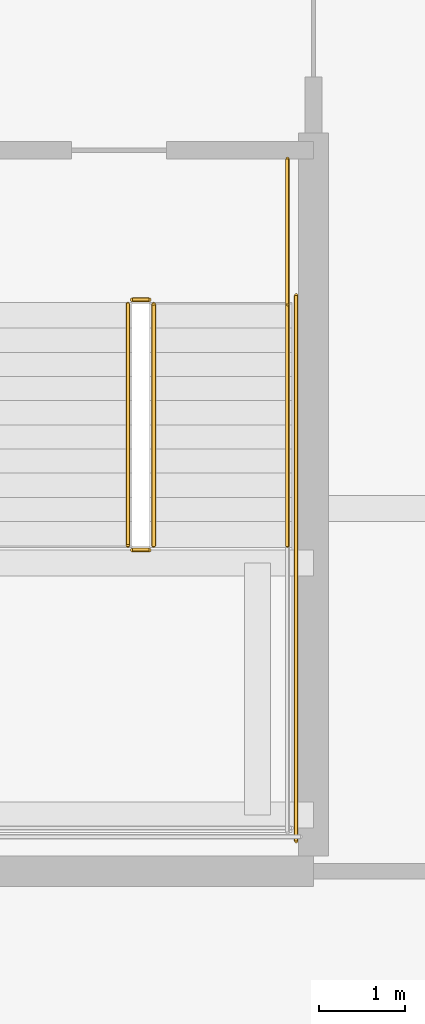
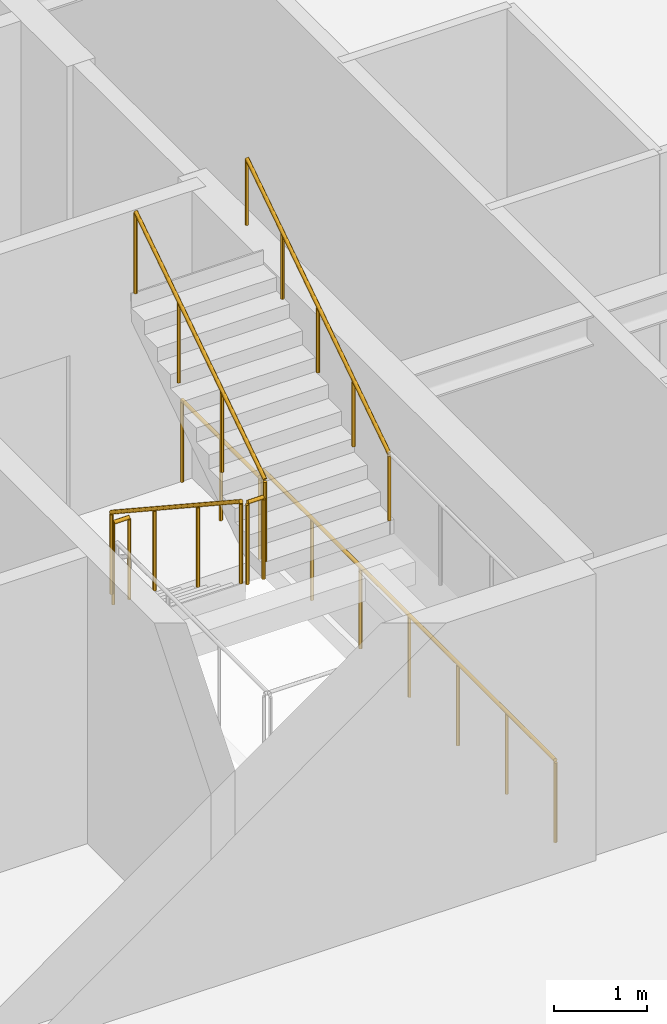
# One storey, part 36 of 37: 7 railings.
"""IFC4 building model written with IfcOpenShell, lengths in metres."""

from ifc_helpers import new_model, si_unit, direction, frame, origin, origin_2d, place, context, subcontext, project, spatial, circle, extrude, material, type_object, element, save


model = new_model("IFC4")

# Units and contexts
model_context = context("Model", 3, precision=1e-05, world=origin(), true_north=direction((0.0, 1.0)))
body_context = subcontext(model_context, "Body", "Model", "MODEL_VIEW")
ifc_project = project(units=[si_unit("LENGTHUNIT", "METRE"), si_unit("AREAUNIT", "SQUARE_METRE"), si_unit("VOLUMEUNIT", "CUBIC_METRE"), si_unit("PLANEANGLEUNIT", "RADIAN"), si_unit("MASSUNIT", "GRAM", prefix="KILO")], contexts=[model_context])

# Site, building, storey
site_placement = place(None, origin())
site = spatial("IfcSite", under=ifc_project, at=site_placement, CompositionType="ELEMENT")
building_placement = place(site_placement, origin())
building = spatial("IfcBuilding", under=site, at=building_placement, Name="Serunith Strait Residences", CompositionType="ELEMENT")
storey_placement = place(building_placement, frame((0.0, 0.0, 317.75)))
storey = spatial("IfcBuildingStorey", under=building, at=storey_placement, Name="L79", CompositionType="ELEMENT", Elevation=317.75)

# Railings
ifc_material = material(Name="Brushed stainless steel 316L", Category="steel")
railing_type_1 = type_object("IfcRailingType", Name="RLG-STAIR-GUARD", PredefinedType="BALUSTRADE", material=ifc_material)
railing_1_placement = place(storey_placement, frame((39.25, 23.3701171875, 0.18408203125)))
element("IfcRailing", 1, at=railing_1_placement, inside=storey, type_object=railing_type_1, Name="L79 ST-2 stair guard 1", PredefinedType="BALUSTRADE", context=body_context, shape_type="SweptSolid", body=[
    extrude(circle(Radius=0.02392578125, at=origin_2d()), frame((0.0, -0.001708984375, 1.0771484375), z_axis=(0.0, -0.835597507184, 0.549342157483), x_axis=(1.0, 0.0, 0.0)), (0.0, 0.0, 1.0), 3.346923828125),
    extrude(circle(Radius=0.02099609375, at=origin_2d()), origin(), (0.0, 0.0, 1.0), 1.050048828125),
    extrude(circle(Radius=0.02099609375, at=origin_2d()), frame((0.0, -0.933349609375, 0.613525390625)), (0.0, 0.0, 1.0), 1.050048828125),
    extrude(circle(Radius=0.02099609375, at=origin_2d()), frame((0.0, -1.86669921875, 1.227294921875)), (0.0, 0.0, 1.0), 1.050048828125),
    extrude(circle(Radius=0.02099609375, at=origin_2d()), frame((0.0, -2.800048828125, 1.8408203125)), (0.0, 0.0, 1.0), 1.050048828125),
])
railing_2_placement = place(storey_placement, frame((39.300048828125, 20.52001953125, 2.02490234375)))
element("IfcRailing", 2, at=railing_2_placement, inside=storey, type_object=railing_type_1, Name="L79 ST-2 stair guard 2", PredefinedType="BALUSTRADE", context=body_context, shape_type="SweptSolid", body=[
    extrude(circle(Radius=0.02392578125, at=origin_2d()), frame((0.001953125, 0.0, 1.076171875), z_axis=(1.0, 0.0, 0.0), x_axis=(0.0, 1.0, 0.0)), (0.0, 0.0, 1.0), 0.196044921875),
    extrude(circle(Radius=0.02099609375, at=origin_2d()), origin(), (0.0, 0.0, 1.0), 1.050048828125),
    extrude(circle(Radius=0.02099609375, at=origin_2d()), frame((0.199951171875, 0.0, 0.0)), (0.0, 0.0, 1.0), 1.050048828125),
])
railing_3_placement = place(storey_placement, frame((39.550048828125, 20.570068359375, 2.208984375)))
element("IfcRailing", 3, at=railing_3_placement, inside=storey, type_object=railing_type_1, Name="L79 ST-2 stair guard 6", PredefinedType="BALUSTRADE", context=body_context, shape_type="SweptSolid", body=[
    extrude(circle(Radius=0.02392578125, at=origin_2d()), frame((0.0, 0.001708984375, 1.0771484375), z_axis=(0.0, 0.83556406348, 0.549393024911), x_axis=(-1.0, 0.0, 0.0)), (0.0, 0.0, 1.0), 3.34716796875),
    extrude(circle(Radius=0.02099609375, at=origin_2d()), origin(), (0.0, 0.0, 1.0), 1.050048828125),
    extrude(circle(Radius=0.02099609375, at=origin_2d()), frame((0.0, 0.933349609375, 0.61376953125)), (0.0, 0.0, 1.0), 1.050048828125),
    extrude(circle(Radius=0.02099609375, at=origin_2d()), frame((0.0, 1.86669921875, 1.227294921875)), (0.0, 0.0, 1.0), 1.050048828125),
    extrude(circle(Radius=0.02099609375, at=origin_2d()), frame((0.0, 2.800048828125, 1.841064453125)), (0.0, 0.0, 1.0), 1.050048828125),
])
railing_4_placement = place(storey_placement, frame((39.300048828125, 23.419921875, 0.0)))
element("IfcRailing", 4, at=railing_4_placement, inside=storey, type_object=railing_type_1, Name="L79 ST-2 stair guard 7", PredefinedType="BALUSTRADE", context=body_context, shape_type="SweptSolid", body=[
    extrude(circle(Radius=0.02392578125, at=origin_2d()), frame((0.001953125, 0.0, 1.076171875), z_axis=(1.0, 0.0, 0.0), x_axis=(0.0, 1.0, 0.0)), (0.0, 0.0, 1.0), 0.196044921875),
    extrude(circle(Radius=0.02099609375, at=origin_2d()), origin(), (0.0, 0.0, 1.0), 1.050048828125),
    extrude(circle(Radius=0.02099609375, at=origin_2d()), frame((0.199951171875, 0.0, 0.0)), (0.0, 0.0, 1.0), 1.050048828125),
])
railing_5_placement = place(storey_placement, frame((41.10009765625, 25.050048828125, 0.0)))
element("IfcRailing", 5, at=railing_5_placement, inside=storey, type_object=railing_type_1, Name="L79 ST-2 stair guard 9", PredefinedType="BALUSTRADE", context=body_context, shape_type="SweptSolid", body=[
    extrude(circle(Radius=0.02392578125, at=origin_2d()), frame((0.0, -0.001953125, 1.076171875), z_axis=(0.0, -1.0, 0.0), x_axis=(1.0, 0.0, 0.0)), (0.0, 0.0, 1.0), 1.676025390625),
    extrude(circle(Radius=0.02099609375, at=origin_2d()), origin(), (0.0, 0.0, 1.0), 1.050048828125),
    extrude(circle(Radius=0.02099609375, at=origin_2d()), frame((0.0, -0.83984375, 0.0)), (0.0, 0.0, 1.0), 1.050048828125),
    extrude(circle(Radius=0.02099609375, at=origin_2d()), frame((0.0, -1.679931640625, 0.0)), (0.0, 0.0, 1.0), 1.050048828125),
])
railing_6_placement = place(storey_placement, frame((41.199951171875, 23.469970703125, 0.0)))
element("IfcRailing", 6, at=railing_6_placement, inside=storey, type_object=railing_type_1, Name="L79 ST-2 stair guard 11", PredefinedType="BALUSTRADE", context=body_context, shape_type="SweptSolid", body=[
    extrude(circle(Radius=0.02392578125, at=origin_2d()), frame((0.0, -0.001953125, 1.076171875), z_axis=(0.0, -1.0, 0.0), x_axis=(1.0, 0.0, 0.0)), (0.0, 0.0, 1.0), 6.316162109375),
    extrude(circle(Radius=0.02099609375, at=origin_2d()), origin(), (0.0, 0.0, 1.0), 1.050048828125),
    extrude(circle(Radius=0.02099609375, at=origin_2d()), frame((0.0, -1.05322265625, 0.0)), (0.0, 0.0, 1.0), 1.050048828125),
    extrude(circle(Radius=0.02099609375, at=origin_2d()), frame((0.0, -2.106689453125, 0.0)), (0.0, 0.0, 1.0), 1.050048828125),
    extrude(circle(Radius=0.02099609375, at=origin_2d()), frame((0.0, -3.16015625, 0.0)), (0.0, 0.0, 1.0), 1.050048828125),
    extrude(circle(Radius=0.02099609375, at=origin_2d()), frame((0.0, -4.21337890625, 0.0)), (0.0, 0.0, 1.0), 1.050048828125),
    extrude(circle(Radius=0.02099609375, at=origin_2d()), frame((0.0, -5.2666015625, 0.0)), (0.0, 0.0, 1.0), 1.050048828125),
    extrude(circle(Radius=0.02099609375, at=origin_2d()), frame((0.0, -6.320068359375, 0.0)), (0.0, 0.0, 1.0), 1.050048828125),
])
railing_type_2 = type_object("IfcRailingType", Name="RLG-STAIR-HR", PredefinedType="HANDRAIL", material=ifc_material)
railing_7_placement = place(storey_placement, frame((41.10009765625, 20.570068359375, 2.208984375)))
element("IfcRailing", 7, at=railing_7_placement, inside=storey, type_object=railing_type_2, Name="L79 ST-2 stair handrail 2", PredefinedType="HANDRAIL", context=body_context, shape_type="SweptSolid", body=[
    extrude(circle(Radius=0.02392578125, at=origin_2d()), frame((0.0, 0.001708984375, 0.876953125), z_axis=(0.0, 0.834940924727, 0.550339579002), x_axis=(-1.0, 0.0, 0.0)), (0.0, 0.0, 1.0), 3.6845703125),
    extrude(circle(Radius=0.02099609375, at=origin_2d()), origin(), (0.0, 0.0, 1.0), 0.849853515625),
    extrude(circle(Radius=0.02099609375, at=origin_2d()), frame((0.0, 0.77001953125, 0.507568359375)), (0.0, 0.0, 1.0), 0.849853515625),
    extrude(circle(Radius=0.02099609375, at=origin_2d()), frame((0.0, 1.5400390625, 1.01513671875)), (0.0, 0.0, 1.0), 0.849853515625),
    extrude(circle(Radius=0.02099609375, at=origin_2d()), frame((0.0, 2.309814453125, 1.5224609375)), (0.0, 0.0, 1.0), 0.849853515625),
    extrude(circle(Radius=0.02099609375, at=origin_2d()), frame((0.0, 3.079833984375, 2.030029296875)), (0.0, 0.0, 1.0), 0.849853515625),
])

save(model, "model.ifc")
